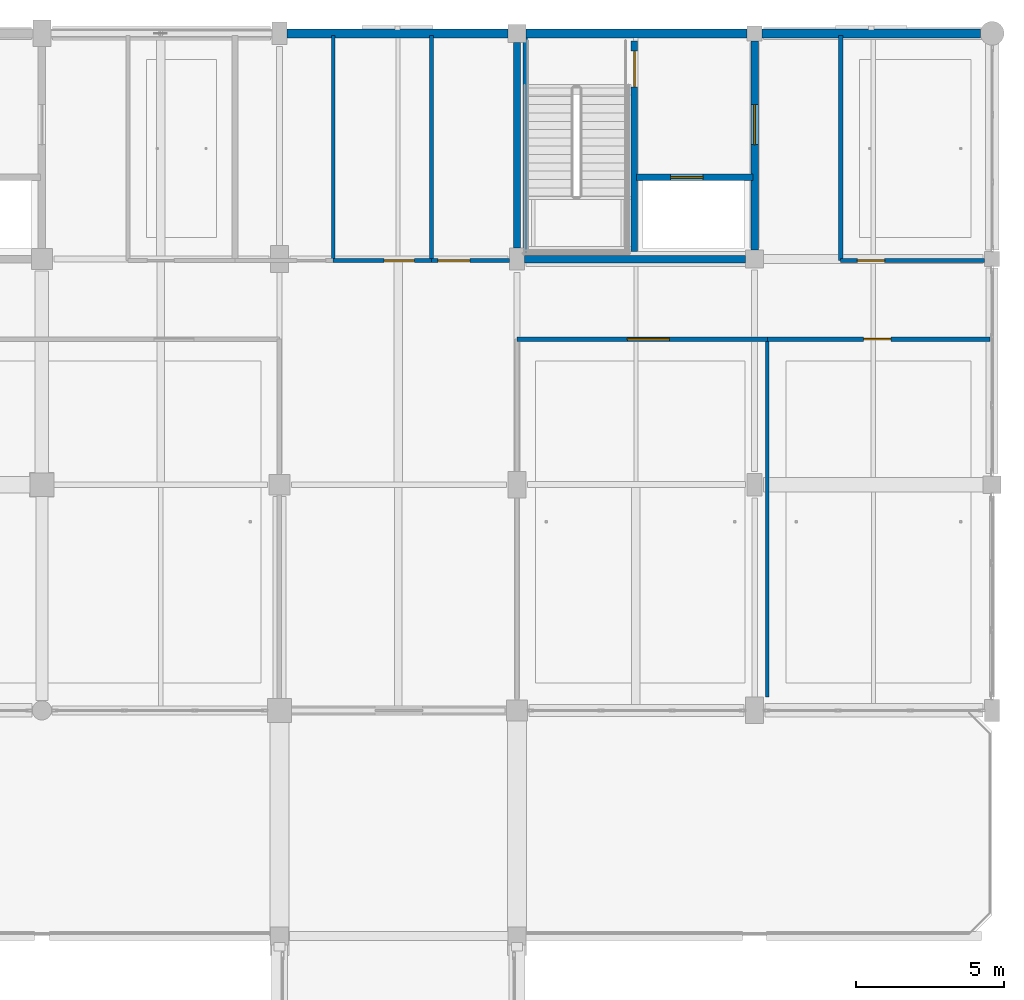
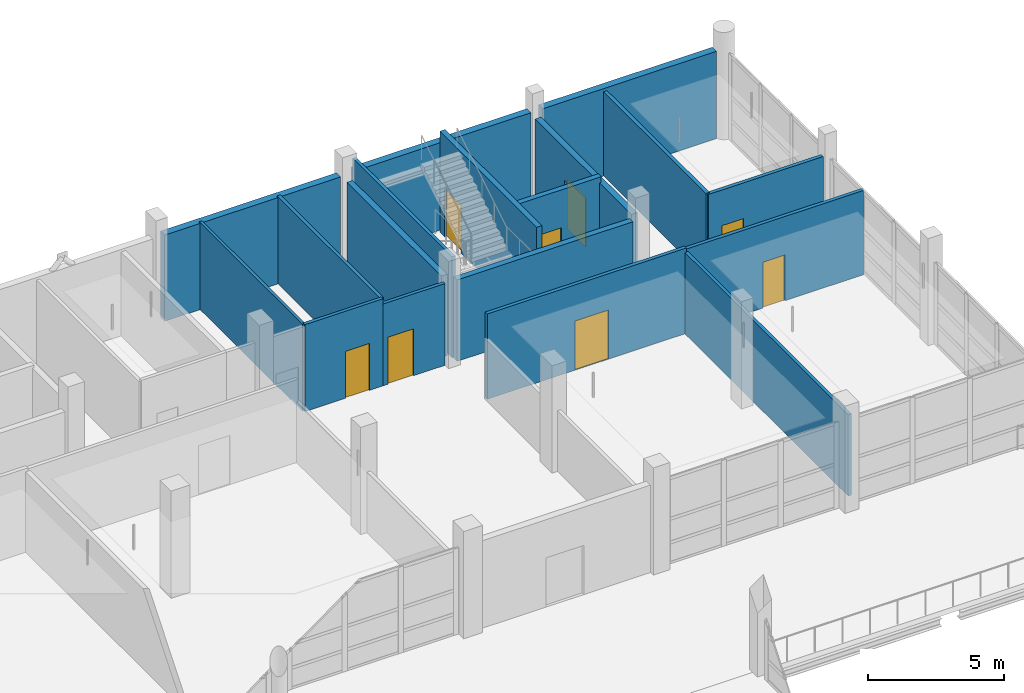
# One storey, part 97 of 141: 18 walls, 8 doors, 8 openings.
"""IFC4 building model written with IfcOpenShell, lengths in metres."""

from ifc_helpers import new_model, si_unit, direction, frame, frame_2d, origin, place, context, subcontext, project, spatial, rectangle, extrude, material, layer, layer_set, type_object, element, fill, save


model = new_model("IFC4")

# Units and contexts
model_context = context("Model", 3, precision=1e-05, world=origin(), true_north=direction((0.0, 1.0)))
body_context = subcontext(model_context, "Body", "Model", "MODEL_VIEW")
ifc_project = project(units=[si_unit("LENGTHUNIT", "METRE"), si_unit("AREAUNIT", "SQUARE_METRE"), si_unit("VOLUMEUNIT", "CUBIC_METRE"), si_unit("PLANEANGLEUNIT", "RADIAN"), si_unit("MASSUNIT", "GRAM", prefix="KILO")], contexts=[model_context])

# Site, building, storey
site_placement = place(None, origin())
site = spatial("IfcSite", under=ifc_project, at=site_placement, CompositionType="ELEMENT")
building_placement = place(site_placement, origin())
building = spatial("IfcBuilding", under=site, at=building_placement, Name="Khelvaren Railside Concert Hall", CompositionType="ELEMENT")
storey_placement = place(building_placement, frame((0.0, 0.0, 10.199951171875)))
storey = spatial("IfcBuildingStorey", under=building, at=storey_placement, Name="L02", CompositionType="ELEMENT", Elevation=10.199951171875)

# Walls
ifc_material_1 = material(Name="Concrete C40/50", Category="concrete")
ifc_layer_1 = layer(ifc_material_1, 0.139892578125)
ifc_layer_set_1 = layer_set([ifc_layer_1], Name="Concrete C40/50")
wall_type_1 = type_object("IfcWallType", Name="CW17", PredefinedType="SOLIDWALL", material=ifc_layer_set_1)
wall_1_placement = place(storey_placement, frame((168.27490234375, 106.550048828125, 0.0), z_axis=(0.0, 0.0, 1.0), x_axis=(0.0, 1.0, 0.0)))
element("IfcWall", 1, at=wall_1_placement, inside=storey, type_object=wall_type_1, Name="Core Shaft Structural Liner Wall ST-10-L02", PredefinedType="SOLIDWALL", context=body_context, shape_type="SweptSolid", body=[
    extrude(rectangle(XDim=7.300048828125, YDim=0.139892578125, at=frame_2d((3.64990234375, 0.0))), origin(), (0.0, 0.0, 1.0), 4.52001953125),
])
ifc_layer_2 = layer(ifc_material_1, 0.25)
ifc_layer_set_2 = layer_set([ifc_layer_2], Name="Concrete C40/50")
wall_type_2 = type_object("IfcWallType", Name="CW82", PredefinedType="SOLIDWALL", material=ifc_layer_set_2)
wall_2_placement = place(storey_placement, frame((168.0, 106.77490234375, 0.0), z_axis=(0.0, 0.0, 1.0), x_axis=(0.0, 1.0, 0.0)))
element("IfcWall", 2, at=wall_2_placement, inside=storey, type_object=wall_type_2, Name="Core Enclosure Wall CWALL-ST-10-L02-W", PredefinedType="SOLIDWALL", context=body_context, shape_type="SweptSolid", body=[
    extrude(rectangle(XDim=6.925048828125, YDim=0.25, at=frame_2d((3.46240234375, 0.0))), origin(), (0.0, 0.0, 1.0), 3.64501953125),
])
wall_3_placement = place(storey_placement, frame((168.25, 106.39990234375, 0.0), z_axis=(0.0, 0.0, 1.0), x_axis=(1.0, 0.0, 0.0)))
element("IfcWall", 3, at=wall_3_placement, inside=storey, type_object=wall_type_2, Name="Core Enclosure Wall CWALL-ST-10-L02-S", PredefinedType="SOLIDWALL", context=body_context, shape_type="SweptSolid", body=[
    extrude(rectangle(XDim=7.449951171875, YDim=0.25, at=frame_2d((3.72509765625, 0.0))), origin(), (0.0, 0.0, 1.0), 3.64501953125),
])

# Wall, opening, door
wall_4_placement = place(storey_placement, frame((176.0, 106.699951171875, 0.0), z_axis=(0.0, 0.0, 1.0), x_axis=(0.0, 1.0, 0.0)))
wall_4 = element("IfcWall", 4, at=wall_4_placement, inside=storey, type_object=wall_type_2, Name="Core Enclosure Wall CWALL-ST-10-L02-E", PredefinedType="SOLIDWALL", context=body_context, shape_type="SweptSolid", body=[
    extrude(rectangle(XDim=7.050048828125, YDim=0.25, at=frame_2d((3.52490234375, 0.0))), origin(), (0.0, 0.0, 1.0), 3.64501953125),
])
opening_1_placement = place(wall_4_placement, frame((3.550048828125, 0.0, 0.0)))
opening_1 = element("IfcOpeningElement", 5, at=opening_1_placement, cuts=wall_4, Name="Opening FDR34", PredefinedType="OPENING", context=body_context, shape_type="SweptSolid", body=[
    extrude(rectangle(XDim=1.35009765625, YDim=2.199951171875, at=frame_2d((0.675048828125, 1.10009765625))), frame((0.0, 0.135009765625, 0.0), z_axis=(0.0, -1.0, 0.0), x_axis=(1.0, 0.0, 0.0)), (0.0, 0.0, 1.0), 0.27001953125),
])
ifc_material_2 = material(Name="Acoustic fire-rated timber-core steel frame door", Category="steel")
door_type_1 = type_object("IfcDoorType", Name="FDR34", OperationType="NOTDEFINED", PredefinedType="DOOR", material=ifc_material_2)
door_1_placement = place(opening_1_placement, origin())
door_1 = element("IfcDoor", 6, at=door_1_placement, inside=storey, type_object=door_type_1, Name="Interior Door DR-ST-10-L02-LOB", OperationType="SINGLE_SWING_LEFT", OverallHeight=2.199951171875, OverallWidth=1.35009765625, PredefinedType="DOOR", context=body_context, shape_type="SweptSolid", body=[
    extrude(rectangle(XDim=1.35009765625, YDim=2.199951171875, at=frame_2d((0.675048828125, 1.10009765625))), frame((0.0, 0.02490234375, 0.0), z_axis=(0.0, -1.0, 0.0), x_axis=(1.0, 0.0, 0.0)), (0.0, 0.0, 1.0), 0.050048828125),
])
fill(opening_1, door_1)

ifc_layer_3 = layer(ifc_material_1, 0.219970703125)
ifc_layer_set_3 = layer_set([ifc_layer_3], Name="Concrete C40/50")
wall_type_3 = type_object("IfcWallType", Name="CW97", PredefinedType="SOLIDWALL", material=ifc_layer_set_3)
wall_5_placement = place(storey_placement, frame((171.949951171875, 106.64990234375, 0.0), z_axis=(0.0, 0.0, 1.0), x_axis=(0.0, 1.0, 0.0)))
wall_5 = element("IfcWall", 7, at=wall_5_placement, inside=storey, type_object=wall_type_3, Name="Core Enclosure Wall CWALL-ST-10-L02-MID", PredefinedType="SOLIDWALL", context=body_context, shape_type="SweptSolid", body=[
    extrude(rectangle(XDim=7.10009765625, YDim=0.219970703125, at=frame_2d((3.550048828125, 0.0))), origin(), (0.0, 0.0, 1.0), 4.52001953125),
])
opening_2_placement = place(wall_5_placement, frame((5.550048828125, 0.0, 0.0)))
opening_2 = element("IfcOpeningElement", 8, at=opening_2_placement, cuts=wall_5, Name="Opening FDR17", PredefinedType="OPENING", context=body_context, shape_type="SweptSolid", body=[
    extrude(rectangle(XDim=1.199951171875, YDim=2.14990234375, at=frame_2d((0.60009765625, 1.074951171875))), frame((0.0, 0.119873046875, 0.0), z_axis=(0.0, -1.0, 0.0), x_axis=(1.0, 0.0, 0.0)), (0.0, 0.0, 1.0), 0.239990234375),
])
door_type_2 = type_object("IfcDoorType", Name="FDR17", OperationType="NOTDEFINED", PredefinedType="DOOR", material=ifc_material_2)
door_2_placement = place(opening_2_placement, origin())
door_2 = element("IfcDoor", 9, at=door_2_placement, inside=storey, type_object=door_type_2, Name="Interior Door DR-ST-10-L02-ST", OperationType="SINGLE_SWING_RIGHT", OverallHeight=2.14990234375, OverallWidth=1.199951171875, PredefinedType="DOOR", context=body_context, shape_type="SweptSolid", body=[
    extrude(rectangle(XDim=1.199951171875, YDim=2.14990234375, at=frame_2d((0.60009765625, 1.074951171875))), frame((0.0, 0.02490234375, 0.0), z_axis=(0.0, -1.0, 0.0), x_axis=(1.0, 0.0, 0.0)), (0.0, 0.0, 1.0), 0.050048828125),
])
fill(opening_2, door_2)

wall_6_placement = place(storey_placement, frame((172.02001953125, 109.14990234375, 0.0), z_axis=(0.0, 0.0, 1.0), x_axis=(1.0, 0.0, 0.0)))
wall_6 = element("IfcWall", 10, at=wall_6_placement, inside=storey, type_object=wall_type_3, Name="Core Enclosure Wall CWALL-ST-10-L02-SHF", PredefinedType="SOLIDWALL", context=body_context, shape_type="SweptSolid", body=[
    extrude(rectangle(XDim=3.929931640625, YDim=0.219970703125, at=frame_2d((1.96484375, 0.0))), origin(), (0.0, 0.0, 1.0), 3.89501953125),
])
opening_3_placement = place(wall_6_placement, frame((1.14990234375, 0.0, 0.0)))
opening_3 = element("IfcOpeningElement", 11, at=opening_3_placement, cuts=wall_6, Name="Opening LD-FL-01", PredefinedType="OPENING", context=body_context, shape_type="SweptSolid", body=[
    extrude(rectangle(XDim=1.10009765625, YDim=2.199951171875, at=frame_2d((0.550048828125, 1.10009765625))), frame((0.0, 0.119873046875, 0.0), z_axis=(0.0, -1.0, 0.0), x_axis=(1.0, 0.0, 0.0)), (0.0, 0.0, 1.0), 0.239990234375),
])
ifc_material_3 = material(Name="Fire-rated brushed stainless steel landing door", Category="steel")
door_type_3 = type_object("IfcDoorType", Name="LD96", OperationType="DOUBLE_DOOR_SLIDING", PredefinedType="DOOR", material=ifc_material_3)
door_3_placement = place(opening_3_placement, origin())
door_3 = element("IfcDoor", 12, at=door_3_placement, inside=storey, type_object=door_type_3, Name="Lift Landing Door LD-FL-01-L02", OperationType="DOUBLE_DOOR_SLIDING", OverallHeight=2.199951171875, OverallWidth=1.10009765625, PredefinedType="DOOR", context=body_context, shape_type="SweptSolid", body=[
    extrude(rectangle(XDim=1.10009765625, YDim=2.199951171875, at=frame_2d((0.550048828125, 1.10009765625))), frame((0.0, 0.02490234375, 0.0), z_axis=(0.0, -1.0, 0.0), x_axis=(1.0, 0.0, 0.0)), (0.0, 0.0, 1.0), 0.050048828125),
])
fill(opening_3, door_3)

# Walls
ifc_material_4 = material(Name="Board-marked architectural concrete C40/50", Category="concrete")
ifc_layer_4 = layer(ifc_material_4, 0.300048828125)
ifc_layer_set_4 = layer_set([ifc_layer_4], Name="Board-marked architectural concrete C40/50")
wall_type_4 = type_object("IfcWallType", Name="EW54", PredefinedType="SOLIDWALL", material=ifc_layer_set_4)
wall_7_placement = place(storey_placement, frame((160.25, 114.0, 0.0), z_axis=(0.0, 0.0, 1.0), x_axis=(1.0, 0.0, 0.0)))
element("IfcWall", 13, at=wall_7_placement, inside=storey, type_object=wall_type_4, Name="V5 L02 Exterior Concrete Wall N-160", PredefinedType="SOLIDWALL", context=body_context, shape_type="SweptSolid", body=[
    extrude(rectangle(XDim=7.449951171875, YDim=0.300048828125, at=frame_2d((3.72509765625, 0.0))), origin(), (0.0, 0.0, 1.0), 3.860107421875),
])
wall_8_placement = place(storey_placement, frame((168.300048828125, 114.0, 0.0), z_axis=(0.0, 0.0, 1.0), x_axis=(1.0, 0.0, 0.0)))
element("IfcWall", 14, at=wall_8_placement, inside=storey, type_object=wall_type_4, Name="V5 L02 Exterior Concrete Wall N-168", PredefinedType="SOLIDWALL", context=body_context, shape_type="SweptSolid", body=[
    extrude(rectangle(XDim=7.449951171875, YDim=0.300048828125, at=frame_2d((3.72509765625, 0.0))), origin(), (0.0, 0.0, 1.0), 3.91015625),
])
wall_9_placement = place(storey_placement, frame((176.25, 114.0, 0.0), z_axis=(0.0, 0.0, 1.0), x_axis=(1.0, 0.0, 0.0)))
element("IfcWall", 15, at=wall_9_placement, inside=storey, type_object=wall_type_4, Name="V5 L02 Exterior Concrete Wall N-176", PredefinedType="SOLIDWALL", context=body_context, shape_type="SweptSolid", body=[
    extrude(rectangle(XDim=7.35009765625, YDim=0.300048828125, at=frame_2d((3.675048828125, 0.0))), origin(), (0.0, 0.0, 1.0), 3.91015625),
])
ifc_material_5 = material(Name="Acoustic double-stud gypsum partition", Category="gypsum")
ifc_layer_5 = layer(ifc_material_5, 0.1298828125)
ifc_layer_set_5 = layer_set([ifc_layer_5], Name="Acoustic double-stud gypsum partition")
wall_type_5 = type_object("IfcWallType", Name="PT31", PredefinedType="PARTITIONING", material=ifc_layer_set_5)
wall_10_placement = place(storey_placement, frame((176.427978515625, 91.64990234375, 0.0), z_axis=(0.0, 0.0, 1.0), x_axis=(0.0, 1.0, 0.0)))
element("IfcWall", 16, at=wall_10_placement, inside=storey, type_object=wall_type_5, Name="Acoustic Partition Wall PW-V5-L02-S2-D01", PredefinedType="PARTITIONING", context=body_context, shape_type="SweptSolid", body=[
    extrude(rectangle(XDim=12.050048828125, YDim=0.1298828125, at=frame_2d((6.02490234375, 0.0))), origin(), (0.0, 0.0, 1.0), 3.64501953125),
])
ifc_layer_6 = layer(ifc_material_5, 0.139892578125)
ifc_layer_set_6 = layer_set([ifc_layer_6], Name="Acoustic double-stud gypsum partition")
wall_type_6 = type_object("IfcWallType", Name="PT41", PredefinedType="PARTITIONING", material=ifc_layer_set_6)
wall_11_placement = place(storey_placement, frame((165.115966796875, 106.35009765625, 0.0), z_axis=(0.0, 0.0, 1.0), x_axis=(0.0, 1.0, 0.0)))
element("IfcWall", 17, at=wall_11_placement, inside=storey, type_object=wall_type_6, Name="Acoustic Partition Wall PW-V5-L02-N-D03", PredefinedType="PARTITIONING", context=body_context, shape_type="SweptSolid", body=[
    extrude(rectangle(XDim=7.56982421875, YDim=0.139892578125, at=frame_2d((3.784912109375, 0.0))), origin(), (0.0, 0.0, 1.0), 3.89501953125),
])

# Wall, opening, door
ifc_layer_7 = layer(ifc_material_5, 0.139892578125)
ifc_layer_set_7 = layer_set([ifc_layer_7], Name="Acoustic double-stud gypsum partition")
wall_type_7 = type_object("IfcWallType", Name="PT55", PredefinedType="PARTITIONING", material=ifc_layer_set_7)
wall_12_placement = place(storey_placement, frame((161.81103515625, 106.35009765625, 0.0), z_axis=(0.0, 0.0, 1.0), x_axis=(1.0, 0.0, 0.0)))
wall_12 = element("IfcWall", 18, at=wall_12_placement, inside=storey, type_object=wall_type_7, Name="Acoustic Partition Wall PW-V5-L02-N-C03", PredefinedType="PARTITIONING", context=body_context, shape_type="SweptSolid", body=[
    extrude(rectangle(XDim=3.304931640625, YDim=0.139892578125, at=frame_2d((1.65234375, 0.0))), origin(), (0.0, 0.0, 1.0), 3.89501953125),
])
opening_4_placement = place(wall_12_placement, frame((1.7119140625, 0.0, 0.0)))
opening_4 = element("IfcOpeningElement", 19, at=opening_4_placement, cuts=wall_12, Name="Opening IDR87", PredefinedType="OPENING", context=body_context, shape_type="SweptSolid", body=[
    extrude(rectangle(XDim=1.02001953125, YDim=2.10009765625, at=frame_2d((0.510009765625, 1.050048828125))), frame((0.0, 0.079833984375, 0.0), z_axis=(0.0, -1.0, 0.0), x_axis=(1.0, 0.0, 0.0)), (0.0, 0.0, 1.0), 0.159912109375),
])
ifc_material_6 = material(Name="Solid oak acoustic studio door", Category="wood")
door_type_4 = type_object("IfcDoorType", Name="IDR87", OperationType="NOTDEFINED", PredefinedType="DOOR", material=ifc_material_6)
door_4_placement = place(opening_4_placement, origin())
door_4 = element("IfcDoor", 20, at=door_4_placement, inside=storey, type_object=door_type_4, Name="Interior Door DR-V5-L02-N-03", OperationType="SINGLE_SWING_LEFT", OverallHeight=2.10009765625, OverallWidth=1.02001953125, PredefinedType="DOOR", context=body_context, shape_type="SweptSolid", body=[
    extrude(rectangle(XDim=1.02001953125, YDim=2.10009765625, at=frame_2d((0.510009765625, 1.050048828125))), frame((0.0, 0.02490234375, 0.0), z_axis=(0.0, -1.0, 0.0), x_axis=(1.0, 0.0, 0.0)), (0.0, 0.0, 1.0), 0.050048828125),
])
fill(opening_4, door_4)

wall_13_placement = place(storey_placement, frame((165.115966796875, 106.35009765625, 0.0), z_axis=(0.0, 0.0, 1.0), x_axis=(1.0, 0.0, 0.0)))
wall_13 = element("IfcWall", 21, at=wall_13_placement, inside=storey, type_object=wall_type_7, Name="Acoustic Partition Wall PW-V5-L02-N-C04", PredefinedType="PARTITIONING", context=body_context, shape_type="SweptSolid", body=[
    extrude(rectangle(XDim=2.634033203125, YDim=0.139892578125, at=frame_2d((1.31689453125, 0.0))), origin(), (0.0, 0.0, 1.0), 3.66015625),
])
opening_5_placement = place(wall_13_placement, frame((0.219970703125, 0.0, 0.0)))
opening_5 = element("IfcOpeningElement", 22, at=opening_5_placement, cuts=wall_13, Name="Opening IDR70", PredefinedType="OPENING", context=body_context, shape_type="SweptSolid", body=[
    extrude(rectangle(XDim=1.080078125, YDim=2.10009765625, at=frame_2d((0.5400390625, 1.050048828125))), frame((0.0, 0.079833984375, 0.0), z_axis=(0.0, -1.0, 0.0), x_axis=(1.0, 0.0, 0.0)), (0.0, 0.0, 1.0), 0.159912109375),
])
door_type_5 = type_object("IfcDoorType", Name="IDR70", OperationType="NOTDEFINED", PredefinedType="DOOR", material=ifc_material_6)
door_5_placement = place(opening_5_placement, origin())
door_5 = element("IfcDoor", 23, at=door_5_placement, inside=storey, type_object=door_type_5, Name="Interior Door DR-V5-L02-N-04", OperationType="SINGLE_SWING_RIGHT", OverallHeight=2.10009765625, OverallWidth=1.080078125, PredefinedType="DOOR", context=body_context, shape_type="SweptSolid", body=[
    extrude(rectangle(XDim=1.080078125, YDim=2.10009765625, at=frame_2d((0.5400390625, 1.050048828125))), frame((0.0, 0.02490234375, 0.0), z_axis=(0.0, -1.0, 0.0), x_axis=(1.0, 0.0, 0.0)), (0.0, 0.0, 1.0), 0.050048828125),
])
fill(opening_5, door_5)

ifc_layer_8 = layer(ifc_material_5, 0.14990234375)
ifc_layer_set_8 = layer_set([ifc_layer_8], Name="Acoustic double-stud gypsum partition")
wall_type_8 = type_object("IfcWallType", Name="PT72", PredefinedType="PARTITIONING", material=ifc_layer_set_8)
wall_14_placement = place(storey_placement, frame((168.0, 103.699951171875, 0.0), z_axis=(0.0, 0.0, 1.0), x_axis=(1.0, 0.0, 0.0)))
wall_14 = element("IfcWall", 24, at=wall_14_placement, inside=storey, type_object=wall_type_8, Name="Acoustic Partition Wall PW-V5-L02-S2-C01", PredefinedType="PARTITIONING", context=body_context, shape_type="SweptSolid", body=[
    extrude(rectangle(XDim=8.427978515625, YDim=0.14990234375, at=frame_2d((4.2138671875, 0.0))), origin(), (0.0, 0.0, 1.0), 3.820068359375),
])
opening_6_placement = place(wall_14_placement, frame((3.714111328125, 0.0, 0.0)))
opening_6 = element("IfcOpeningElement", 25, at=opening_6_placement, cuts=wall_14, Name="Opening IDR61", PredefinedType="OPENING", context=body_context, shape_type="SweptSolid", body=[
    extrude(rectangle(XDim=1.419921875, YDim=2.199951171875, at=frame_2d((0.7099609375, 1.10009765625))), frame((0.0, 0.0849609375, 0.0), z_axis=(0.0, -1.0, 0.0), x_axis=(1.0, 0.0, 0.0)), (0.0, 0.0, 1.0), 0.169921875),
])
door_type_6 = type_object("IfcDoorType", Name="IDR61", OperationType="NOTDEFINED", PredefinedType="DOOR", material=ifc_material_6)
door_6_placement = place(opening_6_placement, origin())
door_6 = element("IfcDoor", 26, at=door_6_placement, inside=storey, type_object=door_type_6, Name="Interior Door DR-V5-L02-S2-01", OperationType="SINGLE_SWING_LEFT", OverallHeight=2.199951171875, OverallWidth=1.419921875, PredefinedType="DOOR", context=body_context, shape_type="SweptSolid", body=[
    extrude(rectangle(XDim=1.419921875, YDim=2.199951171875, at=frame_2d((0.7099609375, 1.10009765625))), frame((0.0, 0.02490234375, 0.0), z_axis=(0.0, -1.0, 0.0), x_axis=(1.0, 0.0, 0.0)), (0.0, 0.0, 1.0), 0.050048828125),
])
fill(opening_6, door_6)

wall_15_placement = place(storey_placement, frame((176.427978515625, 103.699951171875, 0.0), z_axis=(0.0, 0.0, 1.0), x_axis=(1.0, 0.0, 0.0)))
wall_15 = element("IfcWall", 27, at=wall_15_placement, inside=storey, type_object=wall_type_8, Name="Acoustic Partition Wall PW-V5-L02-S2-C02", PredefinedType="PARTITIONING", context=body_context, shape_type="SweptSolid", body=[
    extrude(rectangle(XDim=7.491943359375, YDim=0.14990234375, at=frame_2d((3.74609375, 0.0))), origin(), (0.0, 0.0, 1.0), 3.77001953125),
])
opening_7_placement = place(wall_15_placement, frame((3.24609375, 0.0, 0.0)))
opening_7 = element("IfcOpeningElement", 28, at=opening_7_placement, cuts=wall_15, Name="Opening IDR68", PredefinedType="OPENING", context=body_context, shape_type="SweptSolid", body=[
    extrude(rectangle(XDim=0.919921875, YDim=2.050048828125, at=frame_2d((0.4599609375, 1.02490234375))), frame((0.0, 0.0849609375, 0.0), z_axis=(0.0, -1.0, 0.0), x_axis=(1.0, 0.0, 0.0)), (0.0, 0.0, 1.0), 0.169921875),
])
door_type_7 = type_object("IfcDoorType", Name="IDR68", OperationType="NOTDEFINED", PredefinedType="DOOR", material=ifc_material_6)
door_7_placement = place(opening_7_placement, origin())
door_7 = element("IfcDoor", 29, at=door_7_placement, inside=storey, type_object=door_type_7, Name="Interior Door DR-V5-L02-S2-02", OperationType="SINGLE_SWING_RIGHT", OverallHeight=2.050048828125, OverallWidth=0.919921875, PredefinedType="DOOR", context=body_context, shape_type="SweptSolid", body=[
    extrude(rectangle(XDim=0.919921875, YDim=2.050048828125, at=frame_2d((0.4599609375, 1.02490234375))), frame((0.0, 0.02490234375, 0.0), z_axis=(0.0, -1.0, 0.0), x_axis=(1.0, 0.0, 0.0)), (0.0, 0.0, 1.0), 0.050048828125),
])
fill(opening_7, door_7)

wall_16_placement = place(storey_placement, frame((178.89990234375, 106.35009765625, 0.0), z_axis=(0.0, 0.0, 1.0), x_axis=(1.0, 0.0, 0.0)))
wall_16 = element("IfcWall", 30, at=wall_16_placement, inside=storey, type_object=wall_type_8, Name="Acoustic Partition Wall PW-V5-L02-NE-C01", PredefinedType="PARTITIONING", context=body_context, shape_type="SweptSolid", body=[
    extrude(rectangle(XDim=4.85009765625, YDim=0.14990234375, at=frame_2d((2.425048828125, 0.0))), origin(), (0.0, 0.0, 1.0), 3.7451171875),
])
opening_8_placement = place(wall_16_placement, frame((0.56103515625, 0.0, 0.0)))
opening_8 = element("IfcOpeningElement", 31, at=opening_8_placement, cuts=wall_16, Name="Opening IDR15", PredefinedType="OPENING", context=body_context, shape_type="SweptSolid", body=[
    extrude(rectangle(XDim=0.919921875, YDim=2.14990234375, at=frame_2d((0.4599609375, 1.074951171875))), frame((0.0, 0.0849609375, 0.0), z_axis=(0.0, -1.0, 0.0), x_axis=(1.0, 0.0, 0.0)), (0.0, 0.0, 1.0), 0.169921875),
])
door_type_8 = type_object("IfcDoorType", Name="IDR15", OperationType="NOTDEFINED", PredefinedType="DOOR", material=ifc_material_6)
door_8_placement = place(opening_8_placement, origin())
door_8 = element("IfcDoor", 32, at=door_8_placement, inside=storey, type_object=door_type_8, Name="Interior Door DR-V5-L02-NE-01", OperationType="SINGLE_SWING_LEFT", OverallHeight=2.14990234375, OverallWidth=0.919921875, PredefinedType="DOOR", context=body_context, shape_type="SweptSolid", body=[
    extrude(rectangle(XDim=0.919921875, YDim=2.14990234375, at=frame_2d((0.4599609375, 1.074951171875))), frame((0.0, 0.02490234375, 0.0), z_axis=(0.0, -1.0, 0.0), x_axis=(1.0, 0.0, 0.0)), (0.0, 0.0, 1.0), 0.050048828125),
])
fill(opening_8, door_8)

# Walls
wall_17_placement = place(storey_placement, frame((178.89990234375, 106.35009765625, 0.0), z_axis=(0.0, 0.0, 1.0), x_axis=(0.0, 1.0, 0.0)))
element("IfcWall", 33, at=wall_17_placement, inside=storey, type_object=wall_type_8, Name="Acoustic Partition Wall PW-V5-L02-NE-W0", PredefinedType="PARTITIONING", context=body_context, shape_type="SweptSolid", body=[
    extrude(rectangle(XDim=7.56982421875, YDim=0.14990234375, at=frame_2d((3.784912109375, 0.0))), origin(), (0.0, 0.0, 1.0), 3.77001953125),
])
ifc_layer_9 = layer(ifc_material_5, 0.1201171875)
ifc_layer_set_9 = layer_set([ifc_layer_9], Name="Acoustic double-stud gypsum partition")
wall_type_9 = type_object("IfcWallType", Name="PT74", PredefinedType="PARTITIONING", material=ifc_layer_set_9)
wall_18_placement = place(storey_placement, frame((161.81103515625, 106.35009765625, 0.0), z_axis=(0.0, 0.0, 1.0), x_axis=(0.0, 1.0, 0.0)))
element("IfcWall", 34, at=wall_18_placement, inside=storey, type_object=wall_type_9, Name="Acoustic Partition Wall PW-V5-L02-N-D02", PredefinedType="PARTITIONING", context=body_context, shape_type="SweptSolid", body=[
    extrude(rectangle(XDim=7.56982421875, YDim=0.1201171875, at=frame_2d((3.784912109375, 0.0))), origin(), (0.0, 0.0, 1.0), 3.89501953125),
])

save(model, "model.ifc")
